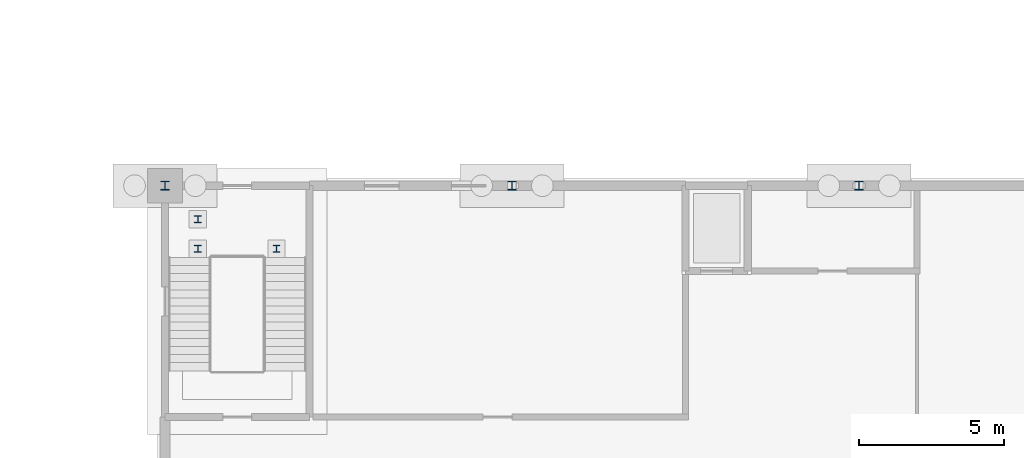
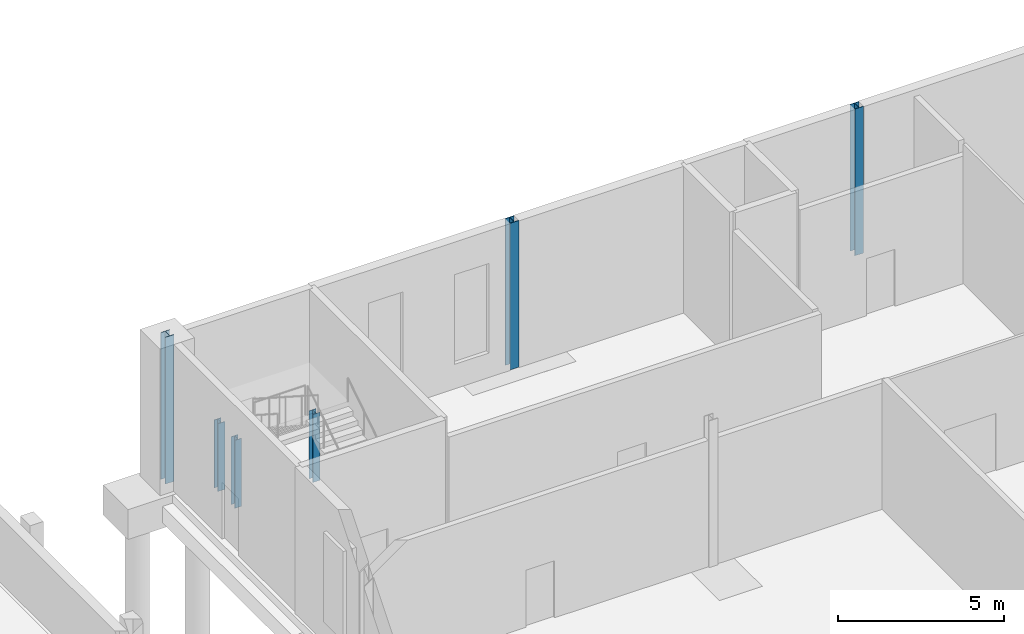
# One storey, part 35 of 132: 6 columns.
"""IFC4 building model written with IfcOpenShell, lengths in metres."""

from ifc_helpers import new_model, si_unit, direction, frame, origin, origin_2d, place, context, subcontext, project, spatial, i_section, extrude, material, material_profile, profile_set, type_object, element, save


model = new_model("IFC4")

# Units and contexts
model_context = context("Model", 3, precision=1e-05, world=origin(), true_north=direction((0.0, 1.0)))
body_context = subcontext(model_context, "Body", "Model", "MODEL_VIEW")
ifc_project = project(units=[si_unit("LENGTHUNIT", "METRE"), si_unit("AREAUNIT", "SQUARE_METRE"), si_unit("VOLUMEUNIT", "CUBIC_METRE"), si_unit("PLANEANGLEUNIT", "RADIAN"), si_unit("MASSUNIT", "GRAM", prefix="KILO")], contexts=[model_context])

# Site, building, storey
site_placement = place(None, origin())
site = spatial("IfcSite", under=ifc_project, at=site_placement, CompositionType="ELEMENT")
building_placement = place(site_placement, origin())
building = spatial("IfcBuilding", under=site, at=building_placement, Name="Ravi Spectrum Wholesale Market", CompositionType="ELEMENT")
storey_placement = place(building_placement, origin())
storey = spatial("IfcBuildingStorey", under=building, at=storey_placement, Name="L00", CompositionType="ELEMENT", Elevation=0.0)

# Columns
ifc_material_1 = material(Name="Steel S355", Category="steel")
ifc_material_profile_1 = material_profile(ifc_material_1, i_section(OverallWidth=0.239990234375, OverallDepth=0.239990234375, WebThickness=0.010009765625, FlangeThickness=0.01708984375, at=origin_2d()))
ifc_profile_set_1 = profile_set([ifc_material_profile_1], Name="Steel S355")
column_type_1 = type_object("IfcColumnType", Name="HEB 240 column", PredefinedType="COLUMN", material=ifc_profile_set_1)
for number, where, z_axis, x_axis, name in (
    (1, (13.14111328125, 231.820068359375, 0.0), (0.0, 0.0, 1.0), (1.0, 0.0, 0.0), "OF-COL-L00-021"),
    (2, (13.14111328125, 232.8369140625, 0.0), (0.0, 0.0, 1.0), (1.0, 0.0, 0.0), "OF-COL-L00-022"),
    (3, (15.85888671875, 231.820068359375, 0.0), (0.0, 0.0, 1.0), (1.0, 0.0, 0.0), "OF-COL-L00-023"),
):
    element("IfcColumn", number, at=place(storey_placement, frame(where, z_axis=z_axis, x_axis=x_axis)), inside=storey, type_object=column_type_1, Name=name, PredefinedType="COLUMN", context=body_context, shape_type="SweptSolid", body=[
        extrude(i_section(OverallWidth=0.239990234375, OverallDepth=0.239990234375, WebThickness=0.010009765625, FlangeThickness=0.01708984375, at=origin_2d()), origin(), (0.0, 0.0, 1.0), 2.5),
    ])
ifc_material_2 = material(Name="Steel S355", Category="steel")
ifc_material_profile_2 = material_profile(ifc_material_2, i_section(OverallWidth=0.300048828125, OverallDepth=0.300048828125, WebThickness=0.010986328125, FlangeThickness=0.01904296875, at=origin_2d()))
ifc_profile_set_2 = profile_set([ifc_material_profile_2], Name="Steel S355")
column_type_2 = type_object("IfcColumnType", Name="HEB 300 column", PredefinedType="COLUMN", material=ifc_profile_set_2)
for number, where, z_axis, x_axis, name in (
    (4, (12.0, 234.0, 0.0), (0.0, 0.0, 1.0), (1.0, 0.0, 0.0), "OF-COL-L00-003"),
    (5, (24.0, 234.0, 0.0), (0.0, 0.0, 1.0), (1.0, 0.0, 0.0), "OF-COL-L00-006"),
    (6, (36.0, 234.0, 0.0), (0.0, 0.0, 1.0), (1.0, 0.0, 0.0), "OF-COL-L00-009"),
):
    element("IfcColumn", number, at=place(storey_placement, frame(where, z_axis=z_axis, x_axis=x_axis)), inside=storey, type_object=column_type_2, Name=name, PredefinedType="COLUMN", context=body_context, shape_type="SweptSolid", body=[
        extrude(i_section(OverallWidth=0.300048828125, OverallDepth=0.300048828125, WebThickness=0.010986328125, FlangeThickness=0.01904296875, at=origin_2d()), origin(), (0.0, 0.0, 1.0), 5.39990234375),
    ])

save(model, "model.ifc")
